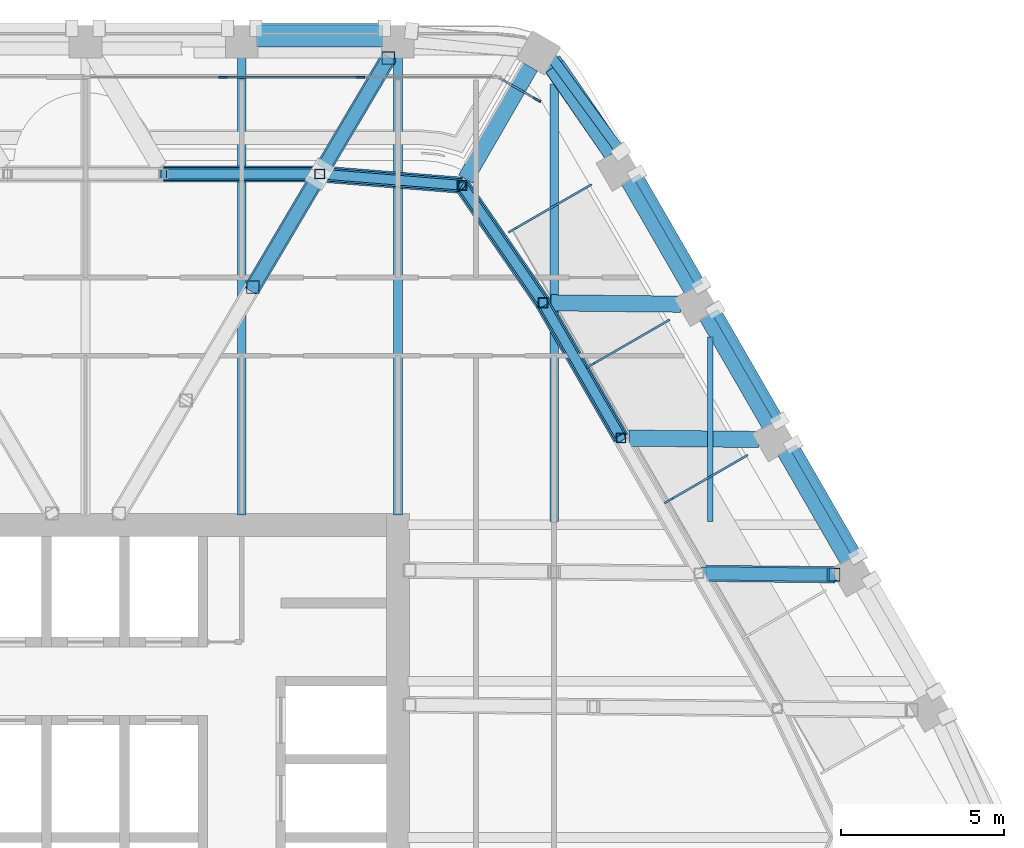
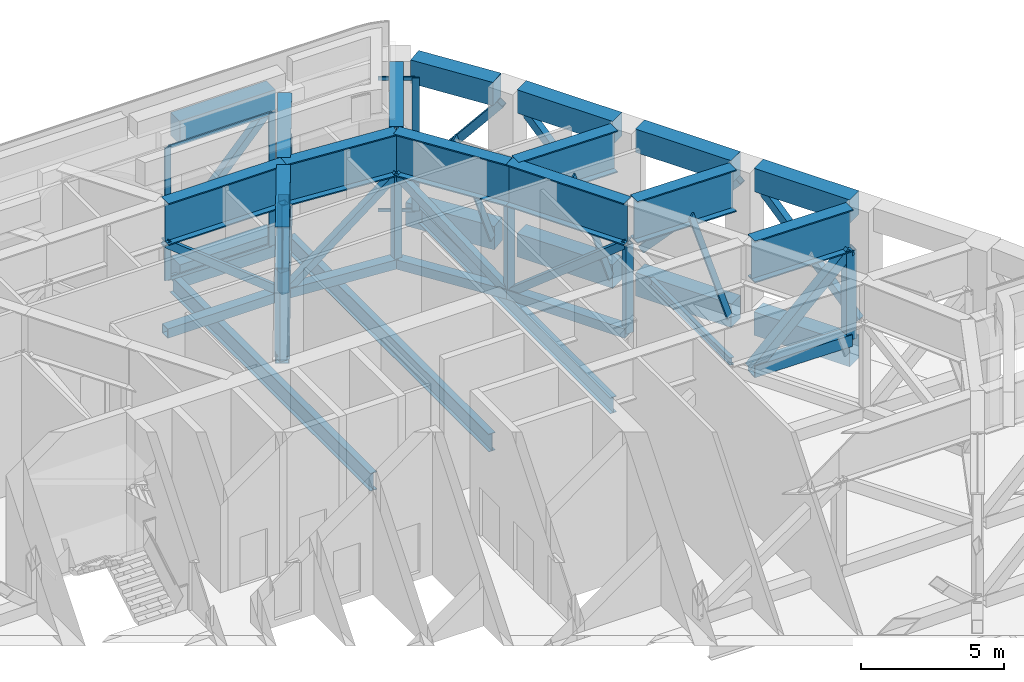
# One storey, part 10 of 24: 36 members, 24 beams, 3 elements without a shape of their own.
"""IFC4 building model written with IfcOpenShell, lengths in metres."""

from ifc_helpers import new_model, si_unit, direction, frame, origin, origin_2d, place, context, subcontext, project, spatial, rectangle, hollow_rectangle, i_section, extrude, material, material_profile, profile_set, type_object, element, aggregate, save


model = new_model("IFC4")

# Units and contexts
model_context = context("Model", 3, precision=1e-05, world=origin(), true_north=direction((0.0, 1.0)))
body_context = subcontext(model_context, "Body", "Model", "MODEL_VIEW")
ifc_project = project(units=[si_unit("LENGTHUNIT", "METRE"), si_unit("AREAUNIT", "SQUARE_METRE"), si_unit("VOLUMEUNIT", "CUBIC_METRE"), si_unit("PLANEANGLEUNIT", "RADIAN"), si_unit("MASSUNIT", "GRAM", prefix="KILO")], contexts=[model_context])

# Site, building, storey
site_placement = place(None, origin())
site = spatial("IfcSite", under=ifc_project, at=site_placement, CompositionType="ELEMENT")
building_placement = place(site_placement, origin())
building = spatial("IfcBuilding", under=site, at=building_placement, Name="Kolab Exchange Tower", CompositionType="ELEMENT")
storey_placement = place(building_placement, frame((0.0, 0.0, 216.800048828125)))
storey = spatial("IfcBuildingStorey", under=building, at=storey_placement, Name="L47", CompositionType="ELEMENT", Elevation=216.800048828125)

# Members
ifc_material_1 = material(Name="Steel S355", Category="steel")
ifc_material_profile_1 = material_profile(ifc_material_1, hollow_rectangle(XDim=0.300048828125, YDim=0.300048828125, WallThickness=0.01611328125, at=origin_2d()), Name="HSS300X300X16")
ifc_profile_set_1 = profile_set([ifc_material_profile_1], Name="Steel S355")
member_type_1 = type_object("IfcMemberType", Name="BELT TRUSS BRACE HSS300X300X16", PredefinedType="BRACE", material=ifc_profile_set_1)
member_1_placement = place(storey_placement, frame((2.39990234375, 20.384521484375, 4.050048828125), z_axis=(0.784045015832, 0.0, -0.620703965791), x_axis=(0.0, 1.0, 0.0)))
element("IfcMember", 1, at=member_1_placement, inside=storey, type_object=member_type_1, Name="mem/L47/ring/d-F1-04", PredefinedType="BRACE", context=body_context, shape_type="SweptSolid", body=[
    extrude(hollow_rectangle(XDim=0.300048828125, YDim=0.300048828125, WallThickness=0.01611328125, at=origin_2d()), origin(), (0.0, 0.0, 1.0), 6.1220703125),
])
member_2_placement = place(storey_placement, frame((7.199951171875, 20.384521484375, 0.25), z_axis=(0.753086281984, -0.060024651395, 0.655177909512), x_axis=(0.079452902216, 0.996838621006, 0.0)))
element("IfcMember", 2, at=member_2_placement, inside=storey, type_object=member_type_1, Name="mem/L47/ring/d-F1-05", PredefinedType="BRACE", context=body_context, shape_type="SweptSolid", body=[
    extrude(hollow_rectangle(XDim=0.300048828125, YDim=0.300048828125, WallThickness=0.01611328125, at=origin_2d()), origin(), (0.0, 0.0, 1.0), 5.800048828125),
])
member_3_placement = place(storey_placement, frame((11.56787109375, 20.036376953125, 4.050048828125), z_axis=(0.428579877359, -0.622160593915, -0.655160655185), x_axis=(0.823519747608, 0.56728760369, 0.0)))
element("IfcMember", 3, at=member_3_placement, inside=storey, type_object=member_type_1, Name="mem/L47/ring/d-F2-01", PredefinedType="BRACE", context=body_context, shape_type="SweptSolid", body=[
    extrude(hollow_rectangle(XDim=0.300048828125, YDim=0.300048828125, WallThickness=0.01611328125, at=origin_2d()), origin(), (0.0, 0.0, 1.0), 5.80029296875),
])
member_4_placement = place(storey_placement, frame((14.0537109375, 16.427734375, 0.25), z_axis=(0.392004841722, -0.679009810783, 0.620707564741), x_axis=(0.866037363387, 0.499979284789, 0.0)))
element("IfcMember", 4, at=member_4_placement, inside=storey, type_object=member_type_1, Name="mem/L47/ring/d-F2-02", PredefinedType="BRACE", context=body_context, shape_type="SweptSolid", body=[
    extrude(hollow_rectangle(XDim=0.300048828125, YDim=0.300048828125, WallThickness=0.01611328125, at=origin_2d()), origin(), (0.0, 0.0, 1.0), 6.1220703125),
])
member_5_placement = place(storey_placement, frame((5.23291015625, 24.864990234375, 0.39990234375), z_axis=(0.6750129769, 0.0, 0.737805855911), x_axis=(0.0, 1.0, 0.0)))
element("IfcMember", 5, at=member_5_placement, inside=storey, type_object=member_type_1, Name="mem/L47/fb/F1-05", PredefinedType="BRACE", context=body_context, shape_type="SweptSolid", body=[
    extrude(hollow_rectangle(XDim=0.300048828125, YDim=0.300048828125, WallThickness=0.01611328125, at=origin_2d()), origin(), (0.0, 0.0, 1.0), 5.828125),
])
member_6_placement = place(storey_placement, frame((14.330078125, 23.95751953125, 0.39990234375), z_axis=(0.377585306964, -0.515270277759, 0.769367192453), x_axis=(0.806613643798, 0.591079038402, 0.0)))
element("IfcMember", 6, at=member_6_placement, inside=storey, type_object=member_type_1, Name="mem/L47/fb/F2-01", PredefinedType="BRACE", context=body_context, shape_type="SweptSolid", body=[
    extrude(hollow_rectangle(XDim=0.300048828125, YDim=0.300048828125, WallThickness=0.01611328125, at=origin_2d()), origin(), (0.0, 0.0, 1.0), 5.589111328125),
])
for number, where, z_axis, x_axis, name in (
    (7, (16.9501953125, 20.371337890625, 4.699951171875), (0.337507590619, -0.584574708587, -0.737808265306), (0.866023334807, 0.500003583557, 0.0), "mem/L47/fb/F2-02"),
    (8, (19.350341796875, 16.214599609375, 0.39990234375), (0.337507590619, -0.584574708587, 0.737808265306), (0.866023334807, 0.500003583557, 0.0), "mem/L47/fb/F2-03"),
    (9, (21.750244140625, 12.0576171875, 4.699951171875), (0.337507590619, -0.584574708587, -0.737808265306), (0.866023334807, 0.500003583557, 0.0), "mem/L47/fb/F2-04"),
):
    element("IfcMember", number, at=place(storey_placement, frame(where, z_axis=z_axis, x_axis=x_axis)), inside=storey, type_object=member_type_1, Name=name, PredefinedType="BRACE", context=body_context, shape_type="SweptSolid", body=[
        extrude(hollow_rectangle(XDim=0.300048828125, YDim=0.300048828125, WallThickness=0.01611328125, at=origin_2d()), origin(), (0.0, 0.0, 1.0), 5.828125),
    ])
ifc_material_profile_2 = material_profile(ifc_material_1, hollow_rectangle(XDim=0.39990234375, YDim=0.39990234375, WallThickness=0.02001953125, at=origin_2d()), Name="HSS400X400X20")
ifc_profile_set_2 = profile_set([ifc_material_profile_2], Name="Steel S355")
member_type_2 = type_object("IfcMemberType", Name="BELT TRUSS CHORD HSS400X400X20", PredefinedType="CHORD", material=ifc_profile_set_2)
member_7_placement = place(storey_placement, frame((2.39990234375, 20.384521484375, 0.25), z_axis=(1.0, 0.0, 0.0), x_axis=(0.0, 1.0, 0.0)))
element("IfcMember", 10, at=member_7_placement, inside=storey, type_object=member_type_2, Name="mem/L47/ring/c-F1-04", PredefinedType="CHORD", context=body_context, shape_type="SweptSolid", body=[
    extrude(hollow_rectangle(XDim=0.39990234375, YDim=0.39990234375, WallThickness=0.02001953125, at=origin_2d()), origin(), (0.0, 0.0, 1.0), 4.800048828125),
])
member_8_placement = place(storey_placement, frame((7.199951171875, 20.384521484375, 0.25), z_axis=(0.996838621006, -0.079452902216, 0.0), x_axis=(0.079452902216, 0.996838621006, 0.0)))
element("IfcMember", 11, at=member_8_placement, inside=storey, type_object=member_type_2, Name="mem/L47/ring/c-F1-05", PredefinedType="CHORD", context=body_context, shape_type="SweptSolid", body=[
    extrude(hollow_rectangle(XDim=0.39990234375, YDim=0.39990234375, WallThickness=0.02001953125, at=origin_2d()), origin(), (0.0, 0.0, 1.0), 4.3818359375),
])
member_9_placement = place(storey_placement, frame((11.56787109375, 20.036376953125, 0.25), z_axis=(0.56728760369, -0.823519747608, 0.0), x_axis=(0.823519747608, 0.56728760369, 0.0)))
element("IfcMember", 12, at=member_9_placement, inside=storey, type_object=member_type_2, Name="mem/L47/ring/c-F2-01", PredefinedType="CHORD", context=body_context, shape_type="SweptSolid", body=[
    extrude(hollow_rectangle(XDim=0.39990234375, YDim=0.39990234375, WallThickness=0.02001953125, at=origin_2d()), origin(), (0.0, 0.0, 1.0), 4.382080078125),
])
member_10_placement = place(storey_placement, frame((14.0537109375, 16.427734375, 0.25), z_axis=(0.499979284789, -0.866037363387, 0.0), x_axis=(0.866037363387, 0.499979284789, 0.0)))
element("IfcMember", 13, at=member_10_placement, inside=storey, type_object=member_type_2, Name="mem/L47/ring/c-F2-02", PredefinedType="CHORD", context=body_context, shape_type="SweptSolid", body=[
    extrude(hollow_rectangle(XDim=0.39990234375, YDim=0.39990234375, WallThickness=0.02001953125, at=origin_2d()), origin(), (0.0, 0.0, 1.0), 4.800048828125),
])

# Beams
ifc_material_profile_3 = material_profile(ifc_material_1, i_section(OverallWidth=0.5, OverallDepth=1.800048828125, WebThickness=0.031982421875, FlangeThickness=0.050048828125, at=origin_2d()), Name="PG1800X500")
ifc_profile_set_3 = profile_set([ifc_material_profile_3], Name="Steel S355")
beam_type_1 = type_object("IfcBeamType", Name="BELT TRUSS GIRDER PG1800X500", PredefinedType="BEAM", material=ifc_profile_set_3)
beam_1_placement = place(storey_placement, frame((2.39990234375, 20.384521484375, 4.949951171875), z_axis=(1.0, 0.0, 0.0), x_axis=(0.0, 1.0, 0.0)))
element("IfcBeam", 14, at=beam_1_placement, inside=storey, type_object=beam_type_1, Name="beam/L47/bg/F1-run2", PredefinedType="BEAM", context=body_context, shape_type="SweptSolid", body=[
    extrude(i_section(OverallWidth=0.5, OverallDepth=1.800048828125, WebThickness=0.031982421875, FlangeThickness=0.050048828125, at=origin_2d()), origin(), (0.0, 0.0, 1.0), 4.800048828125),
])
beam_2_placement = place(storey_placement, frame((7.199951171875, 20.384521484375, 4.949951171875), z_axis=(0.996838621006, -0.079452902216, 0.0), x_axis=(0.079452902216, 0.996838621006, 0.0)))
element("IfcBeam", 15, at=beam_2_placement, inside=storey, type_object=beam_type_1, Name="beam/L47/bg/F1-out", PredefinedType="BEAM", context=body_context, shape_type="SweptSolid", body=[
    extrude(i_section(OverallWidth=0.5, OverallDepth=1.800048828125, WebThickness=0.031982421875, FlangeThickness=0.050048828125, at=origin_2d()), origin(), (0.0, 0.0, 1.0), 4.3818359375),
])
beam_3_placement = place(storey_placement, frame((11.56787109375, 20.036376953125, 4.949951171875), z_axis=(0.56728760369, -0.823519747608, 0.0), x_axis=(0.823519747608, 0.56728760369, 0.0)))
element("IfcBeam", 16, at=beam_3_placement, inside=storey, type_object=beam_type_1, Name="beam/L47/bg/F2-in", PredefinedType="BEAM", context=body_context, shape_type="SweptSolid", body=[
    extrude(i_section(OverallWidth=0.5, OverallDepth=1.800048828125, WebThickness=0.031982421875, FlangeThickness=0.050048828125, at=origin_2d()), origin(), (0.0, 0.0, 1.0), 4.382080078125),
])
beam_4_placement = place(storey_placement, frame((14.0537109375, 16.427734375, 4.949951171875), z_axis=(0.499979284789, -0.866037363387, 0.0), x_axis=(0.866037363387, 0.499979284789, 0.0)))
element("IfcBeam", 17, at=beam_4_placement, inside=storey, type_object=beam_type_1, Name="beam/L47/bg/F2-run0", PredefinedType="BEAM", context=body_context, shape_type="SweptSolid", body=[
    extrude(i_section(OverallWidth=0.5, OverallDepth=1.800048828125, WebThickness=0.031982421875, FlangeThickness=0.050048828125, at=origin_2d()), origin(), (0.0, 0.0, 1.0), 4.800048828125),
])

# Members
ifc_material_profile_4 = material_profile(ifc_material_1, hollow_rectangle(XDim=0.300048828125, YDim=0.300048828125, WallThickness=0.01611328125, at=origin_2d()), Name="HSS300X300X16")
ifc_profile_set_4 = profile_set([ifc_material_profile_4], Name="Steel S355")
member_type_3 = type_object("IfcMemberType", Name="BELT TRUSS POST HSS300X300X16", PredefinedType="POST", material=ifc_profile_set_4)
for number, where, z_axis, x_axis, name in (
    (18, (7.199951171875, 20.384521484375, 0.25), (0.0, 0.0, 1.0), (1.0, 0.0, 0.0), "mem/L47/ring/p-F1-05"),
    (19, (11.56787109375, 20.036376953125, 0.25), (0.0, 0.0, 1.0), (1.0, 0.0, 0.0), "mem/L47/ring/p-F2-01"),
    (20, (14.0537109375, 16.427734375, 0.25), (0.0, 0.0, 1.0), (1.0, 0.0, 0.0), "mem/L47/ring/p-F2-02"),
    (21, (16.45361328125, 12.270751953125, 0.25), (0.0, 0.0, 1.0), (1.0, 0.0, 0.0), "mem/L47/ring/p-F2-03"),
):
    element("IfcMember", number, at=place(storey_placement, frame(where, z_axis=z_axis, x_axis=x_axis)), inside=storey, type_object=member_type_3, Name=name, PredefinedType="POST", context=body_context, shape_type="SweptSolid", body=[
        extrude(hollow_rectangle(XDim=0.300048828125, YDim=0.300048828125, WallThickness=0.01611328125, at=origin_2d()), origin(), (0.0, 0.0, 1.0), 3.800048828125),
    ])

# Curtain wall, members
ifc_material_2 = material(Name="Aluminium EN AW-6063 T6", Category="aluminium")
curtain_wall_type_1 = type_object("IfcCurtainWallType", Name="CANTED BAND CURTAIN WALL", PredefinedType="NOTDEFINED", material=ifc_material_2)
curtain_wall_1_placement = place(storey_placement, origin())
curtain_wall_1 = element("IfcCurtainWall", 22, at=curtain_wall_1_placement, inside=storey, type_object=curtain_wall_type_1, Name="band/L47/F2", PredefinedType="NOTDEFINED")
ifc_material_profile_5 = material_profile(ifc_material_2, rectangle(XDim=0.06005859375, YDim=0.300048828125, at=origin_2d()), Name="RECT 60X300")
ifc_profile_set_5 = profile_set([ifc_material_profile_5], Name="Aluminium EN AW-6063 T6")
member_type_4 = type_object("IfcMemberType", Name="CANTED BAND MULLION 60 X 300", PredefinedType="MULLION", material=ifc_profile_set_5)
member_11_placement = place(storey_placement, frame((15.431640625, 19.99462890625, -0.10009765625), z_axis=(-0.355833859075, -0.205421357987, 0.911693111973), x_axis=(0.499964557259, -0.866045865693, 0.0)))
member_11 = element("IfcMember", 23, at=member_11_placement, type_object=member_type_4, Name="Band mullion", PredefinedType="MULLION", context=body_context, shape_type="SweptSolid", body=[
    extrude(rectangle(XDim=0.06005859375, YDim=0.300048828125, at=origin_2d()), origin(), (0.0, 0.0, 1.0), 6.515380859375),
])
member_12_placement = place(storey_placement, frame((17.831787109375, 15.837646484375, -0.10009765625), z_axis=(-0.355833859075, -0.205421357987, 0.911693111973), x_axis=(0.499964557259, -0.866045865693, 0.0)))
member_12 = element("IfcMember", 24, at=member_12_placement, type_object=member_type_4, Name="Band mullion", PredefinedType="MULLION", context=body_context, shape_type="SweptSolid", body=[
    extrude(rectangle(XDim=0.06005859375, YDim=0.300048828125, at=origin_2d()), origin(), (0.0, 0.0, 1.0), 6.515380859375),
])
member_13_placement = place(storey_placement, frame((20.231689453125, 11.6806640625, -0.10009765625), z_axis=(-0.355833859075, -0.205421357987, 0.911693111973), x_axis=(0.499964557259, -0.866045865693, 0.0)))
member_13 = element("IfcMember", 25, at=member_13_placement, type_object=member_type_4, Name="Band mullion", PredefinedType="MULLION", context=body_context, shape_type="SweptSolid", body=[
    extrude(rectangle(XDim=0.06005859375, YDim=0.300048828125, at=origin_2d()), origin(), (0.0, 0.0, 1.0), 6.515380859375),
])
aggregate(curtain_wall_1, [member_11, member_12, member_13])

# Beams
ifc_material_profile_6 = material_profile(ifc_material_1, i_section(OverallWidth=0.1650390625, OverallDepth=0.31005859375, WebThickness=0.005859375, FlangeThickness=0.009765625, at=origin_2d()), Name="W310X39")
ifc_profile_set_6 = profile_set([ifc_material_profile_6], Name="Steel S355")
beam_type_2 = type_object("IfcBeamType", Name="FLOOR BEAM W310X39", PredefinedType="BEAM", material=ifc_profile_set_6)
beam_5_placement = place(storey_placement, frame((19.199951171875, 9.7060546875, -0.455078125), z_axis=(0.0, 1.0, 0.0), x_axis=(-1.0, 0.0, 0.0)))
element("IfcBeam", 26, at=beam_5_placement, inside=storey, type_object=beam_type_2, Name="beam/L47/fr/023", PredefinedType="BEAM", context=body_context, shape_type="SweptSolid", body=[
    extrude(i_section(OverallWidth=0.1650390625, OverallDepth=0.31005859375, WebThickness=0.005859375, FlangeThickness=0.009765625, at=origin_2d()), origin(), (0.0, 0.0, 1.0), 5.66162109375),
])
ifc_material_profile_7 = material_profile(ifc_material_1, i_section(OverallWidth=0.25390625, OverallDepth=0.68408203125, WebThickness=0.012451171875, FlangeThickness=0.018798828125, at=origin_2d()), Name="W690X140")
ifc_profile_set_7 = profile_set([ifc_material_profile_7], Name="Steel S355")
beam_type_3 = type_object("IfcBeamType", Name="FLOOR BEAM W690X140", PredefinedType="BEAM", material=ifc_profile_set_7)
beam_6_placement = place(storey_placement, frame((14.39990234375, 9.7060546875, -0.64208984375), z_axis=(0.0, 1.0, 0.0), x_axis=(-1.0, 0.0, 0.0)))
element("IfcBeam", 27, at=beam_6_placement, inside=storey, type_object=beam_type_3, Name="beam/L47/fr/021", PredefinedType="BEAM", context=body_context, shape_type="SweptSolid", body=[
    extrude(i_section(OverallWidth=0.25390625, OverallDepth=0.68408203125, WebThickness=0.012451171875, FlangeThickness=0.018798828125, at=origin_2d()), origin(), (0.0, 0.0, 1.0), 13.44970703125),
])
ifc_material_profile_8 = material_profile(ifc_material_1, i_section(OverallWidth=0.26708984375, OverallDepth=0.761962890625, WebThickness=0.014404296875, FlangeThickness=0.021484375, at=origin_2d()), Name="W760X173")
ifc_profile_set_8 = profile_set([ifc_material_profile_8], Name="Steel S355")
beam_type_4 = type_object("IfcBeamType", Name="FLOOR BEAM W760X173", PredefinedType="BEAM", material=ifc_profile_set_8)
for number, where, z_axis, x_axis, name in (
    (28, (4.800048828125, 9.909912109375, -0.68115234375), (0.0, 1.0, 0.0), (-1.0, 0.0, 0.0), "beam/L47/fr/014"),
    (29, (9.60009765625, 9.909912109375, -0.68115234375), (0.0, 1.0, 0.0), (-1.0, 0.0, 0.0), "beam/L47/fr/016"),
):
    element("IfcBeam", number, at=place(storey_placement, frame(where, z_axis=z_axis, x_axis=x_axis)), inside=storey, type_object=beam_type_4, Name=name, PredefinedType="BEAM", context=body_context, shape_type="SweptSolid", body=[
        extrude(i_section(OverallWidth=0.26708984375, OverallDepth=0.761962890625, WebThickness=0.014404296875, FlangeThickness=0.021484375, at=origin_2d()), origin(), (0.0, 0.0, 1.0), 14.071533203125),
    ])

# Members
ifc_material_profile_9 = material_profile(ifc_material_1, hollow_rectangle(XDim=0.39990234375, YDim=0.39990234375, WallThickness=0.02001953125, at=origin_2d()), Name="HSS400X400X20")
ifc_profile_set_9 = profile_set([ifc_material_profile_9], Name="Steel S355")
member_type_5 = type_object("IfcMemberType", Name="OUTRIGGER BRACE HSS400X400X20", PredefinedType="BRACE", material=ifc_profile_set_9)
member_14_placement = place(storey_placement, frame((5.142333984375, 16.906494140625, 0.25), z_axis=(0.361497251898, 0.61106156247, 0.704218363679), x_axis=(-0.86067015266, 0.509162929051, 0.0)))
element("IfcMember", 30, at=member_14_placement, inside=storey, type_object=member_type_5, Name="mem/L47/out/01/d02", PredefinedType="BRACE", context=body_context, shape_type="SweptSolid", body=[
    extrude(hollow_rectangle(XDim=0.39990234375, YDim=0.39990234375, WallThickness=0.02001953125, at=origin_2d()), origin(), (0.0, 0.0, 1.0), 5.396240234375),
])
for number, where, z_axis, x_axis, name in (
    (31, (7.306884765625, 20.5654296875, 4.050048828125), (0.365714956135, 0.618152599125, -0.695801649218), (-0.860656286669, 0.509186366881, 0.0), "mem/L47/out/01/d03"),
    (32, (19.063720703125, 8.111572265625, 0.25), (0.718195745705, -0.007599481935, 0.695799625414), (0.010580759602, 0.999944022196, 0.0), "mem/L47/out/02/d02"),
):
    element("IfcMember", number, at=place(storey_placement, frame(where, z_axis=z_axis, x_axis=x_axis)), inside=storey, type_object=member_type_5, Name=name, PredefinedType="BRACE", context=body_context, shape_type="SweptSolid", body=[
        extrude(hollow_rectangle(XDim=0.39990234375, YDim=0.39990234375, WallThickness=0.02001953125, at=origin_2d()), origin(), (0.0, 0.0, 1.0), 5.46142578125),
    ])
ifc_material_profile_10 = material_profile(ifc_material_1, hollow_rectangle(XDim=0.5, YDim=0.5, WallThickness=0.02490234375, at=origin_2d()), Name="HSS500X500X25")
ifc_profile_set_10 = profile_set([ifc_material_profile_10], Name="Steel S355")
member_type_6 = type_object("IfcMemberType", Name="OUTRIGGER CHORD HSS500X500X25", PredefinedType="CHORD", material=ifc_profile_set_10)
member_15_placement = place(storey_placement, frame((5.142333984375, 16.906494140625, 0.25), z_axis=(0.509162929051, 0.86067015266, 0.0), x_axis=(-0.86067015266, 0.509162929051, 0.0)))
element("IfcMember", 33, at=member_15_placement, inside=storey, type_object=member_type_6, Name="mem/L47/out/01/c02", PredefinedType="CHORD", context=body_context, shape_type="SweptSolid", body=[
    extrude(hollow_rectangle(XDim=0.5, YDim=0.5, WallThickness=0.02490234375, at=origin_2d()), origin(), (0.0, 0.0, 1.0), 3.8310546875),
])
for number, where, z_axis, x_axis, name in (
    (34, (7.306884765625, 20.5654296875, 0.25), (0.509186366881, 0.860656286669, 0.0), (-0.860656286669, 0.509186366881, 0.0), "mem/L47/out/01/c03"),
    (35, (19.063720703125, 8.111572265625, 0.25), (0.999944022196, -0.010580759602, 0.0), (0.010580759602, 0.999944022196, 0.0), "mem/L47/out/02/c02"),
):
    element("IfcMember", number, at=place(storey_placement, frame(where, z_axis=z_axis, x_axis=x_axis)), inside=storey, type_object=member_type_6, Name=name, PredefinedType="CHORD", context=body_context, shape_type="SweptSolid", body=[
        extrude(hollow_rectangle(XDim=0.5, YDim=0.5, WallThickness=0.02490234375, at=origin_2d()), origin(), (0.0, 0.0, 1.0), 3.922607421875),
    ])

# Beams
ifc_material_profile_11 = material_profile(ifc_material_1, i_section(OverallWidth=0.5, OverallDepth=1.800048828125, WebThickness=0.031982421875, FlangeThickness=0.050048828125, at=origin_2d()), Name="PG1800X500")
ifc_profile_set_11 = profile_set([ifc_material_profile_11], Name="Steel S355")
beam_type_5 = type_object("IfcBeamType", Name="OUTRIGGER GIRDER PG1800X500", PredefinedType="BEAM", material=ifc_profile_set_11)
beam_7_placement = place(storey_placement, frame((5.142333984375, 16.906494140625, 4.949951171875), z_axis=(0.509162929051, 0.86067015266, 0.0), x_axis=(-0.86067015266, 0.509162929051, 0.0)))
element("IfcBeam", 36, at=beam_7_placement, inside=storey, type_object=beam_type_5, Name="beam/L47/og/01-02", PredefinedType="BEAM", context=body_context, shape_type="SweptSolid", body=[
    extrude(i_section(OverallWidth=0.5, OverallDepth=1.800048828125, WebThickness=0.031982421875, FlangeThickness=0.050048828125, at=origin_2d()), origin(), (0.0, 0.0, 1.0), 3.8310546875),
])
beam_8_placement = place(storey_placement, frame((7.306884765625, 20.5654296875, 4.949951171875), z_axis=(0.509185871859, 0.860656579536, 0.0), x_axis=(-0.860656579536, 0.509185871859, 0.0)))
element("IfcBeam", 37, at=beam_8_placement, inside=storey, type_object=beam_type_5, Name="beam/L47/og/01-03", PredefinedType="BEAM", context=body_context, shape_type="SweptSolid", body=[
    extrude(i_section(OverallWidth=0.5, OverallDepth=1.800048828125, WebThickness=0.031982421875, FlangeThickness=0.050048828125, at=origin_2d()), origin(), (0.0, 0.0, 1.0), 3.962890625),
])
beam_9_placement = place(storey_placement, frame((19.063720703125, 8.111572265625, 4.949951171875), z_axis=(0.999943849545, -0.010597063593, 0.0), x_axis=(0.010597063593, 0.999943849545, 0.0)))
element("IfcBeam", 38, at=beam_9_placement, inside=storey, type_object=beam_type_5, Name="beam/L47/og/02-02", PredefinedType="BEAM", context=body_context, shape_type="SweptSolid", body=[
    extrude(i_section(OverallWidth=0.5, OverallDepth=1.800048828125, WebThickness=0.031982421875, FlangeThickness=0.050048828125, at=origin_2d()), origin(), (0.0, 0.0, 1.0), 3.962646484375),
])

# Members
ifc_material_profile_12 = material_profile(ifc_material_1, hollow_rectangle(XDim=0.39990234375, YDim=0.39990234375, WallThickness=0.02001953125, at=origin_2d()), Name="HSS400X400X20")
ifc_profile_set_12 = profile_set([ifc_material_profile_12], Name="Steel S355")
member_type_7 = type_object("IfcMemberType", Name="OUTRIGGER POST HSS400X400X20", PredefinedType="POST", material=ifc_profile_set_12)
for number, where, z_axis, x_axis, name in (
    (39, (5.142333984375, 16.906494140625, 0.25), (0.0, 0.0, 1.0), (1.0, 0.0, 0.0), "mem/L47/out/01/p02"),
    (40, (9.30419921875, 23.94140625, 0.25), (0.0, 0.0, 1.0), (1.0, 0.0, 0.0), "mem/L47/out/01/p04"),
    (41, (22.986083984375, 8.070068359375, 0.25), (0.0, 0.0, 1.0), (1.0, 0.0, 0.0), "mem/L47/out/02/p03"),
):
    element("IfcMember", number, at=place(storey_placement, frame(where, z_axis=z_axis, x_axis=x_axis)), inside=storey, type_object=member_type_7, Name=name, PredefinedType="POST", context=body_context, shape_type="SweptSolid", body=[
        extrude(hollow_rectangle(XDim=0.39990234375, YDim=0.39990234375, WallThickness=0.02001953125, at=origin_2d()), origin(), (0.0, 0.0, 1.0), 3.800048828125),
    ])

# Beams
ifc_material_3 = material(Name="Concrete C60/75", Category="concrete")
ifc_material_profile_13 = material_profile(ifc_material_3, rectangle(XDim=0.64990234375, YDim=1.0, at=origin_2d()), Name="RC650X1000")
ifc_profile_set_13 = profile_set([ifc_material_profile_13], Name="Concrete C60/75")
beam_type_6 = type_object("IfcBeamType", Name="SPANDREL BEAM 650X1000 C60/75", PredefinedType="BEAM", material=ifc_profile_set_13)
beam_10_placement = place(storey_placement, frame((5.260009765625, 24.616455078125, -0.800048828125), z_axis=(1.0, 0.0, 0.0), x_axis=(0.0, 1.0, 0.0)))
element("IfcBeam", 42, at=beam_10_placement, inside=storey, type_object=beam_type_6, Name="beam/L47/sp/F1-05", PredefinedType="BEAM", context=body_context, shape_type="SweptSolid", body=[
    extrude(rectangle(XDim=0.64990234375, YDim=1.0, at=origin_2d()), origin(), (0.0, 0.0, 1.0), 3.8798828125),
])
beam_11_placement = place(storey_placement, frame((14.29736328125, 23.8359375, -0.800048828125), z_axis=(0.568572281073, -0.822633309073, 0.0), x_axis=(0.822633309073, 0.568572281073, 0.0)))
element("IfcBeam", 43, at=beam_11_placement, inside=storey, type_object=beam_type_6, Name="beam/L47/sp/F2-01", PredefinedType="BEAM", context=body_context, shape_type="SweptSolid", body=[
    extrude(rectangle(XDim=0.64990234375, YDim=1.0, at=origin_2d()), origin(), (0.0, 0.0, 1.0), 3.445068359375),
])
beam_12_placement = place(storey_placement, frame((16.74853515625, 20.2236328125, -0.800048828125), z_axis=(0.499996613652, -0.866027358884, 0.0), x_axis=(0.866027358884, 0.499996613652, 0.0)))
element("IfcBeam", 44, at=beam_12_placement, inside=storey, type_object=beam_type_6, Name="beam/L47/sp/F2-02", PredefinedType="BEAM", context=body_context, shape_type="SweptSolid", body=[
    extrude(rectangle(XDim=0.64990234375, YDim=1.0, at=origin_2d()), origin(), (0.0, 0.0, 1.0), 3.8798828125),
])
beam_13_placement = place(storey_placement, frame((19.1484375, 16.06689453125, -0.800048828125), z_axis=(0.50001655835, -0.866015843605, 0.0), x_axis=(0.866015843605, 0.50001655835, 0.0)))
element("IfcBeam", 45, at=beam_13_placement, inside=storey, type_object=beam_type_6, Name="beam/L47/sp/F2-03", PredefinedType="BEAM", context=body_context, shape_type="SweptSolid", body=[
    extrude(rectangle(XDim=0.64990234375, YDim=1.0, at=origin_2d()), origin(), (0.0, 0.0, 1.0), 3.880126953125),
])
for number, where, z_axis, x_axis, name in (
    (46, (21.548583984375, 11.909912109375, -0.800048828125), (0.499996613652, -0.866027358884, 0.0), (0.866027358884, 0.499996613652, 0.0), "beam/L47/sp/F2-04"),
    (47, (5.260009765625, 24.616455078125, 5.349853515625), (1.0, 0.0, 0.0), (0.0, 1.0, 0.0), "beam/L47/cp/F1-05"),
):
    element("IfcBeam", number, at=place(storey_placement, frame(where, z_axis=z_axis, x_axis=x_axis)), inside=storey, type_object=beam_type_6, Name=name, PredefinedType="BEAM", context=body_context, shape_type="SweptSolid", body=[
        extrude(rectangle(XDim=0.64990234375, YDim=1.0, at=origin_2d()), origin(), (0.0, 0.0, 1.0), 3.8798828125),
    ])
beam_14_placement = place(storey_placement, frame((14.416748046875, 23.688720703125, 5.349853515625), z_axis=(0.565475094709, -0.824765371038, 0.0), x_axis=(0.824765371038, 0.565475094709, 0.0)))
element("IfcBeam", 48, at=beam_14_placement, inside=storey, type_object=beam_type_6, Name="beam/L47/cp/F2-01", PredefinedType="BEAM", context=body_context, shape_type="SweptSolid", body=[
    extrude(rectangle(XDim=0.64990234375, YDim=1.0, at=origin_2d()), origin(), (0.0, 0.0, 1.0), 3.20703125),
])
beam_15_placement = place(storey_placement, frame((16.74853515625, 20.2236328125, 5.349853515625), z_axis=(0.499996613652, -0.866027358884, 0.0), x_axis=(0.866027358884, 0.499996613652, 0.0)))
element("IfcBeam", 49, at=beam_15_placement, inside=storey, type_object=beam_type_6, Name="beam/L47/cp/F2-02", PredefinedType="BEAM", context=body_context, shape_type="SweptSolid", body=[
    extrude(rectangle(XDim=0.64990234375, YDim=1.0, at=origin_2d()), origin(), (0.0, 0.0, 1.0), 3.8798828125),
])
beam_16_placement = place(storey_placement, frame((19.1484375, 16.06689453125, 5.349853515625), z_axis=(0.499969367985, -0.866043088465, 0.0), x_axis=(0.866043088465, 0.499969367985, 0.0)))
element("IfcBeam", 50, at=beam_16_placement, inside=storey, type_object=beam_type_6, Name="beam/L47/cp/F2-03", PredefinedType="BEAM", context=body_context, shape_type="SweptSolid", body=[
    extrude(rectangle(XDim=0.64990234375, YDim=1.0, at=origin_2d()), origin(), (0.0, 0.0, 1.0), 3.880126953125),
])
beam_17_placement = place(storey_placement, frame((21.548583984375, 11.909912109375, 5.349853515625), z_axis=(0.499996613652, -0.866027358884, 0.0), x_axis=(0.866027358884, 0.499996613652, 0.0)))
element("IfcBeam", 51, at=beam_17_placement, inside=storey, type_object=beam_type_6, Name="beam/L47/cp/F2-04", PredefinedType="BEAM", context=body_context, shape_type="SweptSolid", body=[
    extrude(rectangle(XDim=0.64990234375, YDim=1.0, at=origin_2d()), origin(), (0.0, 0.0, 1.0), 3.8798828125),
])
ifc_material_profile_14 = material_profile(ifc_material_1, i_section(OverallWidth=0.5, OverallDepth=1.800048828125, WebThickness=0.031982421875, FlangeThickness=0.050048828125, at=origin_2d()), Name="PG1800X500")
ifc_profile_set_14 = profile_set([ifc_material_profile_14], Name="Steel S355")
beam_type_7 = type_object("IfcBeamType", Name="TRANSFER GIRDER PG1800X500", PredefinedType="BEAM", material=ifc_profile_set_14)
beam_18_placement = place(storey_placement, frame((11.677978515625, 20.226806640625, 4.949951171875), z_axis=(0.499998569178, 0.866026229868, 0.0), x_axis=(-0.866026229868, 0.499998569178, 0.0)))
element("IfcBeam", 52, at=beam_18_placement, inside=storey, type_object=beam_type_7, Name="beam/L47/tg/F2-01", PredefinedType="BEAM", context=body_context, shape_type="SweptSolid", body=[
    extrude(i_section(OverallWidth=0.5, OverallDepth=1.800048828125, WebThickness=0.031982421875, FlangeThickness=0.050048828125, at=origin_2d()), origin(), (0.0, 0.0, 1.0), 3.97998046875),
])
for number, where, z_axis, x_axis, name in (
    (53, (14.3037109375, 16.425048828125, 4.949951171875), (0.999943791991, -0.010602493014, 0.0), (0.010602493014, 0.999943791991, 0.0), "beam/L47/tg/F2-02"),
    (54, (16.70361328125, 12.26806640625, 4.949951171875), (0.999943791991, -0.010602493014, 0.0), (0.010602493014, 0.999943791991, 0.0), "beam/L47/tg/F2-03"),
):
    element("IfcBeam", number, at=place(storey_placement, frame(where, z_axis=z_axis, x_axis=x_axis)), inside=storey, type_object=beam_type_7, Name=name, PredefinedType="BEAM", context=body_context, shape_type="SweptSolid", body=[
        extrude(i_section(OverallWidth=0.5, OverallDepth=1.800048828125, WebThickness=0.031982421875, FlangeThickness=0.050048828125, at=origin_2d()), origin(), (0.0, 0.0, 1.0), 3.983642578125),
    ])

# Curtain wall, members
curtain_wall_type_2 = type_object("IfcCurtainWallType", Name="UNITISED UPPER MID ZONE DOUBLE HEIGHT BELT CURTAIN WALL", PredefinedType="NOTDEFINED", material=ifc_material_2)
curtain_wall_2_placement = place(storey_placement, origin())
curtain_wall_2 = element("IfcCurtainWall", 55, at=curtain_wall_2_placement, inside=storey, type_object=curtain_wall_type_2, Name="cw/L47/F1-2", PredefinedType="NOTDEFINED")
ifc_material_profile_15 = material_profile(ifc_material_2, rectangle(XDim=0.06005859375, YDim=0.260009765625, at=origin_2d()), Name="RECT 60X260")
ifc_profile_set_15 = profile_set([ifc_material_profile_15], Name="Aluminium EN AW-6063 T6")
member_type_8 = type_object("IfcMemberType", Name="UNITISED UPPER MID ZONE DOUBLE HEIGHT BELT MULLION 60 X 260", PredefinedType="MULLION", material=ifc_profile_set_15)
member_16_placement = place(storey_placement, frame((4.22265625, 23.361572265625, 0.0), z_axis=(0.0, 0.0, 1.0), x_axis=(0.0, 1.0, 0.0)))
member_16 = element("IfcMember", 56, at=member_16_placement, type_object=member_type_8, Name="CW11 mullion 2", PredefinedType="MULLION", context=body_context, shape_type="SweptSolid", body=[
    extrude(rectangle(XDim=0.06005859375, YDim=0.260009765625, at=origin_2d()), origin(), (0.0, 0.0, 1.0), 5.699951171875),
])
member_17_placement = place(storey_placement, frame((8.4453125, 23.361572265625, 0.0), z_axis=(0.0, 0.0, 1.0), x_axis=(0.0, 1.0, 0.0)))
member_17 = element("IfcMember", 57, at=member_17_placement, type_object=member_type_8, Name="CW11 mullion 3", PredefinedType="MULLION", context=body_context, shape_type="SweptSolid", body=[
    extrude(rectangle(XDim=0.06005859375, YDim=0.260009765625, at=origin_2d()), origin(), (0.0, 0.0, 1.0), 5.699951171875),
])

# Curtain wall, member
curtain_wall_3_placement = place(storey_placement, origin())
curtain_wall_3 = element("IfcCurtainWall", 58, at=curtain_wall_3_placement, inside=storey, type_object=curtain_wall_type_2, Name="cw/L47/F1F2-corner", PredefinedType="NOTDEFINED")
member_18_placement = place(storey_placement, frame((13.871826171875, 22.66650390625, 0.0), z_axis=(0.0, 0.0, 1.0), x_axis=(0.50000002237, 0.866025390869, 0.0)))
member_18 = element("IfcMember", 59, at=member_18_placement, type_object=member_type_8, Name="CW11 mullion 2", PredefinedType="MULLION", context=body_context, shape_type="SweptSolid", body=[
    extrude(rectangle(XDim=0.06005859375, YDim=0.260009765625, at=origin_2d()), origin(), (0.0, 0.0, 1.0), 5.699951171875),
])

# Member
ifc_material_profile_16 = material_profile(ifc_material_2, rectangle(XDim=0.06005859375, YDim=0.139892578125, at=origin_2d()), Name="RECT 60X140")
ifc_profile_set_16 = profile_set([ifc_material_profile_16], Name="Aluminium EN AW-6063 T6")
member_type_9 = type_object("IfcMemberType", Name="UNITISED UPPER MID ZONE DOUBLE HEIGHT BELT TRANSOM 60 X 140", PredefinedType="USERDEFINED", material=ifc_profile_set_16)
member_19_placement = place(storey_placement, frame((4.252685546875, 23.361572265625, 0.030029296875), z_axis=(1.0, 0.0, 0.0), x_axis=(0.0, 1.0, 0.0)))
member_19 = element("IfcMember", 60, at=member_19_placement, type_object=member_type_9, Name="CW11 transom 2.1", ObjectType="TRANSOM", PredefinedType="USERDEFINED", context=body_context, shape_type="SweptSolid", body=[
    extrude(rectangle(XDim=0.06005859375, YDim=0.139892578125, at=origin_2d()), origin(), (0.0, 0.0, 1.0), 4.16259765625),
])

member_20_placement = place(storey_placement, frame((4.252685546875, 23.361572265625, 5.669921875), z_axis=(1.0, 0.0, 0.0), x_axis=(0.0, 1.0, 0.0)))
member_20 = element("IfcMember", 61, at=member_20_placement, type_object=member_type_9, Name="CW11 transom 2.2", ObjectType="TRANSOM", PredefinedType="USERDEFINED", context=body_context, shape_type="SweptSolid", body=[
    extrude(rectangle(XDim=0.06005859375, YDim=0.139892578125, at=origin_2d()), origin(), (0.0, 0.0, 1.0), 4.16259765625),
])

aggregate(curtain_wall_2, [member_16, member_17, member_19, member_20])

member_21_placement = place(storey_placement, frame((12.719970703125, 23.33154296875, 0.030029296875), z_axis=(0.86603858612, -0.49997716683, 0.0), x_axis=(0.49997716683, 0.86603858612, 0.0)))
member_21 = element("IfcMember", 62, at=member_21_placement, type_object=member_type_9, Name="CW11 transom 1.1", ObjectType="TRANSOM", PredefinedType="USERDEFINED", context=body_context, shape_type="SweptSolid", body=[
    extrude(rectangle(XDim=0.06005859375, YDim=0.139892578125, at=origin_2d()), origin(), (0.0, 0.0, 1.0), 1.2998046875),
])

member_22_placement = place(storey_placement, frame((12.719970703125, 23.33154296875, 5.669921875), z_axis=(0.86603858612, -0.49997716683, 0.0), x_axis=(0.49997716683, 0.86603858612, 0.0)))
member_22 = element("IfcMember", 63, at=member_22_placement, type_object=member_type_9, Name="CW11 transom 1.2", ObjectType="TRANSOM", PredefinedType="USERDEFINED", context=body_context, shape_type="SweptSolid", body=[
    extrude(rectangle(XDim=0.06005859375, YDim=0.139892578125, at=origin_2d()), origin(), (0.0, 0.0, 1.0), 1.2998046875),
])

aggregate(curtain_wall_3, [member_18, member_21, member_22])

save(model, "model.ifc")
